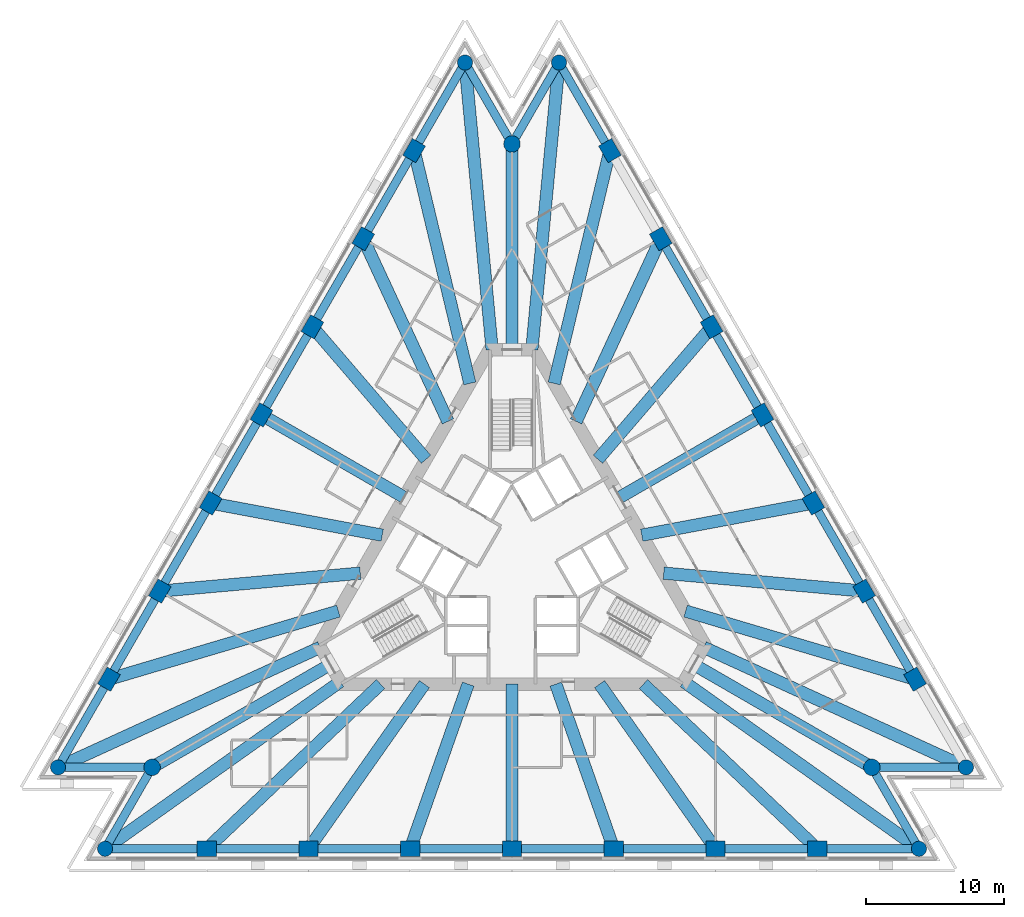
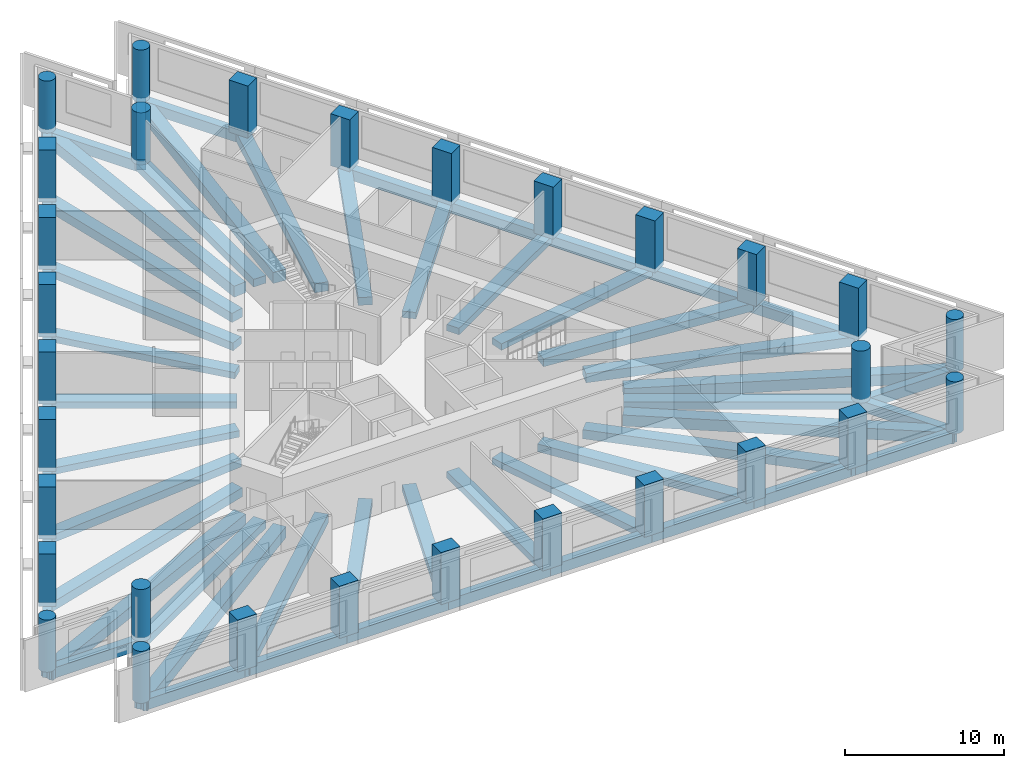
# One storey, part 1 of 11: 58 beams, 30 columns.
"""IFC4 building model written with IfcOpenShell, lengths in metres."""

from ifc_helpers import new_model, si_unit, direction, frame, origin, origin_2d, place, context, subcontext, project, spatial, rectangle, circle, extrude, material, material_profile, profile_set, type_object, element, save


model = new_model("IFC4")

# Units and contexts
model_context = context("Model", 3, precision=1e-05, world=origin(), true_north=direction((0.0, 1.0)))
body_context = subcontext(model_context, "Body", "Model", "MODEL_VIEW")
ifc_project = project(units=[si_unit("LENGTHUNIT", "METRE"), si_unit("AREAUNIT", "SQUARE_METRE"), si_unit("VOLUMEUNIT", "CUBIC_METRE"), si_unit("PLANEANGLEUNIT", "RADIAN"), si_unit("MASSUNIT", "GRAM", prefix="KILO")], contexts=[model_context])

# Site, building, storey
site_placement = place(None, origin())
site = spatial("IfcSite", under=ifc_project, at=site_placement, CompositionType="ELEMENT")
building_placement = place(site_placement, origin())
building = spatial("IfcBuilding", under=site, at=building_placement, Name="Triada Interchange Tower", CompositionType="ELEMENT")
storey_placement = place(building_placement, frame((0.0, 0.0, 63.300048828125)))
storey = spatial("IfcBuildingStorey", under=building, at=storey_placement, Name="L13", CompositionType="ELEMENT", Elevation=63.300048828125)

# Columns
ifc_material_1 = material(Name="Concrete C70/85", Category="concrete")
ifc_material_profile_1 = material_profile(ifc_material_1, rectangle(XDim=1.39990234375, YDim=1.10009765625, at=origin_2d()), Name="RC 1400x1100")
ifc_profile_set_1 = profile_set([ifc_material_profile_1], Name="Concrete C70/85")
column_type_1 = type_object("IfcColumnType", Name="Column A face RC 1400x1100", PredefinedType="COLUMN", material=ifc_profile_set_1)
for number, where, z_axis, x_axis, name in (
    (1, (-7.112060546875, 29.7119140625, -0.300048828125), (0.0, 0.0, 1.0), (0.5, 0.866025403784, 0.0), "Column CA02 L13"),
    (2, (-10.80810546875, 23.31005859375, -0.300048828125), (0.0, 0.0, 1.0), (0.5, 0.866025403784, 0.0), "Column CA03 L13"),
    (3, (-14.50390625, 16.908935546875, -0.300048828125), (0.0, 0.0, 1.0), (0.5, 0.866025403784, 0.0), "Column CA04 L13"),
    (4, (-18.198974609375, 10.508056640625, -0.300048828125), (0.0, 0.0, 1.0), (0.5, 0.866025403784, 0.0), "Column CA05 L13"),
    (5, (-21.89501953125, 4.10595703125, -0.300048828125), (0.0, 0.0, 1.0), (0.5, 0.866025403784, 0.0), "Column CA06 L13"),
    (6, (-25.591064453125, -2.294921875, -0.300048828125), (0.0, 0.0, 1.0), (0.5, 0.866025403784, 0.0), "Column CA07 L13"),
    (7, (-29.287109375, -8.697021484375, -0.300048828125), (0.0, 0.0, 1.0), (0.5, 0.866025403784, 0.0), "Column CA08 L13"),
    (8, (-22.174072265625, -21.014892578125, -0.300048828125), (0.0, 0.0, 1.0), (1.0, 0.0, 0.0), "Column CA11 L13"),
    (9, (-14.782958984375, -21.014892578125, -0.300048828125), (0.0, 0.0, 1.0), (1.0, 0.0, 0.0), "Column CA12 L13"),
    (10, (-7.39208984375, -21.014892578125, -0.300048828125), (0.0, 0.0, 1.0), (1.0, 0.0, 0.0), "Column CA13 L13"),
    (11, (0.0, -21.014892578125, -0.300048828125), (0.0, 0.0, 1.0), (1.0, 0.0, 0.0), "Column CA14 L13"),
    (12, (7.39111328125, -21.014892578125, -0.300048828125), (0.0, 0.0, 1.0), (1.0, 0.0, 0.0), "Column CA15 L13"),
    (13, (14.782958984375, -21.014892578125, -0.300048828125), (0.0, 0.0, 1.0), (1.0, 0.0, 0.0), "Column CA16 L13"),
    (14, (22.174072265625, -21.014892578125, -0.300048828125), (0.0, 0.0, 1.0), (1.0, 0.0, 0.0), "Column CA17 L13"),
    (15, (29.287109375, -8.697021484375, -0.300048828125), (0.0, 0.0, 1.0), (-0.5, 0.866025403784, 0.0), "Column CA20 L13"),
    (16, (25.591064453125, -2.294921875, -0.300048828125), (0.0, 0.0, 1.0), (-0.5, 0.866025403784, 0.0), "Column CA21 L13"),
    (17, (21.89501953125, 4.10595703125, -0.300048828125), (0.0, 0.0, 1.0), (-0.5, 0.866025403784, 0.0), "Column CA22 L13"),
    (18, (18.199951171875, 10.507080078125, -0.300048828125), (0.0, 0.0, 1.0), (-0.5, 0.866025403784, 0.0), "Column CA23 L13"),
    (19, (14.50390625, 16.908935546875, -0.300048828125), (0.0, 0.0, 1.0), (-0.5, 0.866025403784, 0.0), "Column CA24 L13"),
    (20, (10.80810546875, 23.31005859375, -0.300048828125), (0.0, 0.0, 1.0), (-0.5, 0.866025403784, 0.0), "Column CA25 L13"),
    (21, (7.112060546875, 29.7119140625, -0.300048828125), (0.0, 0.0, 1.0), (-0.5, 0.866025403784, 0.0), "Column CA26 L13"),
):
    element("IfcColumn", number, at=place(storey_placement, frame(where, z_axis=z_axis, x_axis=x_axis)), inside=storey, type_object=column_type_1, Name=name, PredefinedType="COLUMN", context=body_context, shape_type="SweptSolid", body=[
        extrude(rectangle(XDim=1.39990234375, YDim=1.10009765625, at=origin_2d()), origin(), (0.0, 0.0, 1.0), 4.0),
    ])
ifc_material_profile_2 = material_profile(ifc_material_1, circle(Radius=0.550048828125, at=origin_2d()), Name="RC D1100")
ifc_profile_set_2 = profile_set([ifc_material_profile_2], Name="Concrete C70/85")
column_type_2 = type_object("IfcColumnType", Name="End column A RC D1100", PredefinedType="COLUMN", material=ifc_profile_set_2)
for number, where, z_axis, x_axis, name in (
    (22, (-3.416015625, 36.113037109375, -0.300048828125), (0.0, 0.0, 1.0), (0.5, 0.866025403784, 0.0), "Column CA01 L13"),
    (23, (-32.98291015625, -15.097900390625, -0.300048828125), (0.0, 0.0, 1.0), (0.5, 0.866025403784, 0.0), "Column CA09 L13"),
    (24, (-29.56591796875, -21.014892578125, -0.300048828125), (0.0, 0.0, 1.0), (1.0, 0.0, 0.0), "Column CA10 L13"),
    (25, (29.56591796875, -21.014892578125, -0.300048828125), (0.0, 0.0, 1.0), (1.0, 0.0, 0.0), "Column CA18 L13"),
    (26, (32.98291015625, -15.097900390625, -0.300048828125), (0.0, 0.0, 1.0), (-0.5, 0.866025403784, 0.0), "Column CA19 L13"),
    (27, (3.416015625, 36.113037109375, -0.300048828125), (0.0, 0.0, 1.0), (-0.5, 0.866025403784, 0.0), "Column CA27 L13"),
):
    element("IfcColumn", number, at=place(storey_placement, frame(where, z_axis=z_axis, x_axis=x_axis)), inside=storey, type_object=column_type_2, Name=name, PredefinedType="COLUMN", context=body_context, shape_type="SweptSolid", body=[
        extrude(circle(Radius=0.550048828125, at=origin_2d()), origin(), (0.0, 0.0, 1.0), 4.0),
    ])
ifc_material_profile_3 = material_profile(ifc_material_1, circle(Radius=0.60009765625, at=origin_2d()), Name="RC D1200")
ifc_profile_set_3 = profile_set([ifc_material_profile_3], Name="Concrete C70/85")
column_type_3 = type_object("IfcColumnType", Name="Mega column A RC D1200", PredefinedType="COLUMN", material=ifc_profile_set_3)
for number, where, z_axis, x_axis, name in (
    (28, (0.0, 30.196044921875, -0.300048828125), (0.0, 0.0, 1.0), (1.0, 0.0, 0.0), "Column MA1 L13"),
    (29, (-26.14990234375, -15.097900390625, -0.300048828125), (0.0, 0.0, 1.0), (1.0, 0.0, 0.0), "Column MA2 L13"),
    (30, (26.14990234375, -15.097900390625, -0.300048828125), (0.0, 0.0, 1.0), (1.0, 0.0, 0.0), "Column MA3 L13"),
):
    element("IfcColumn", number, at=place(storey_placement, frame(where, z_axis=z_axis, x_axis=x_axis)), inside=storey, type_object=column_type_3, Name=name, PredefinedType="COLUMN", context=body_context, shape_type="SweptSolid", body=[
        extrude(circle(Radius=0.60009765625, at=origin_2d()), origin(), (0.0, 0.0, 1.0), 4.0),
    ])

# Beams
ifc_material_2 = material(Name="Concrete C50/60", Category="concrete")
ifc_material_profile_4 = material_profile(ifc_material_2, rectangle(XDim=0.89990234375, YDim=0.5, at=origin_2d()), Name="RC 900x500")
ifc_profile_set_4 = profile_set([ifc_material_profile_4], Name="Concrete C50/60")
beam_type_1 = type_object("IfcBeamType", Name="Radial band beam A RC 900x500", PredefinedType="BEAM", material=ifc_profile_set_4)
beam_1_placement = place(storey_placement, frame((-14.50390625, 16.908935546875, -0.550048828125), z_axis=(0.651070323425, -0.759017413473, 0.0), x_axis=(0.759017413473, 0.651070323425, 0.0)))
element("IfcBeam", 31, at=beam_1_placement, inside=storey, type_object=beam_type_1, Name="Radial band beam BA04 L13", PredefinedType="BEAM", context=body_context, shape_type="SweptSolid", body=[
    extrude(rectangle(XDim=0.89990234375, YDim=0.5, at=origin_2d()), origin(), (0.0, 0.0, 1.0), 12.683349609375),
])
beam_2_placement = place(storey_placement, frame((-18.198974609375, 10.508056640625, -0.550048828125), z_axis=(0.866003116035, -0.500038601528, 0.0), x_axis=(0.500038601528, 0.866003116035, 0.0)))
element("IfcBeam", 32, at=beam_2_placement, inside=storey, type_object=beam_type_1, Name="Radial band beam BA05 L13", PredefinedType="BEAM", context=body_context, shape_type="SweptSolid", body=[
    extrude(rectangle(XDim=0.89990234375, YDim=0.5, at=origin_2d()), origin(), (0.0, 0.0, 1.0), 11.96533203125),
])
beam_3_placement = place(storey_placement, frame((-21.89501953125, 4.10595703125, -0.550048828125), z_axis=(0.98286499511, -0.184326887315, 0.0), x_axis=(0.184326887315, 0.98286499511, 0.0)))
element("IfcBeam", 33, at=beam_3_placement, inside=storey, type_object=beam_type_1, Name="Radial band beam BA06 L13", PredefinedType="BEAM", context=body_context, shape_type="SweptSolid", body=[
    extrude(rectangle(XDim=0.89990234375, YDim=0.5, at=origin_2d()), origin(), (0.0, 0.0, 1.0), 12.683349609375),
])
beam_4_placement = place(storey_placement, frame((-7.39208984375, -21.014892578125, -0.550048828125), z_axis=(0.331845310944, 0.943333816633, 0.0), x_axis=(-0.943333816633, 0.331845310944, 0.0)))
element("IfcBeam", 34, at=beam_4_placement, inside=storey, type_object=beam_type_1, Name="Radial band beam BA14 L13", PredefinedType="BEAM", context=body_context, shape_type="SweptSolid", body=[
    extrude(rectangle(XDim=0.89990234375, YDim=0.5, at=origin_2d()), origin(), (0.0, 0.0, 1.0), 12.68359375),
])
beam_5_placement = place(storey_placement, frame((0.0, -21.014892578125, -0.550048828125), z_axis=(0.0, 1.0, 0.0), x_axis=(-1.0, 0.0, 0.0)))
element("IfcBeam", 35, at=beam_5_placement, inside=storey, type_object=beam_type_1, Name="Radial band beam BA15 L13", PredefinedType="BEAM", context=body_context, shape_type="SweptSolid", body=[
    extrude(rectangle(XDim=0.89990234375, YDim=0.5, at=origin_2d()), origin(), (0.0, 0.0, 1.0), 11.96484375),
])
for number, where, z_axis, x_axis, name in (
    (36, (7.39111328125, -21.014892578125, -0.550048828125), (-0.331776792757, 0.943357917117, 0.0), (-0.943357917117, -0.331776792757, 0.0), "Radial band beam BA16 L13"),
    (37, (21.89501953125, 4.10595703125, -0.550048828125), (-0.98286499511, -0.184326887315, 0.0), (0.184326887315, -0.98286499511, 0.0), "Radial band beam BA24 L13"),
):
    element("IfcBeam", number, at=place(storey_placement, frame(where, z_axis=z_axis, x_axis=x_axis)), inside=storey, type_object=beam_type_1, Name=name, PredefinedType="BEAM", context=body_context, shape_type="SweptSolid", body=[
        extrude(rectangle(XDim=0.89990234375, YDim=0.5, at=origin_2d()), origin(), (0.0, 0.0, 1.0), 12.683349609375),
    ])
beam_6_placement = place(storey_placement, frame((18.199951171875, 10.507080078125, -0.550048828125), z_axis=(-0.86603845774, -0.499977389204, 0.0), x_axis=(0.499977389204, -0.86603845774, 0.0)))
element("IfcBeam", 38, at=beam_6_placement, inside=storey, type_object=beam_type_1, Name="Radial band beam BA25 L13", PredefinedType="BEAM", context=body_context, shape_type="SweptSolid", body=[
    extrude(rectangle(XDim=0.89990234375, YDim=0.5, at=origin_2d()), origin(), (0.0, 0.0, 1.0), 11.96484375),
])
beam_7_placement = place(storey_placement, frame((14.50390625, 16.908935546875, -0.550048828125), z_axis=(-0.651070323425, -0.759017413473, 0.0), x_axis=(0.759017413473, -0.651070323425, 0.0)))
element("IfcBeam", 39, at=beam_7_placement, inside=storey, type_object=beam_type_1, Name="Radial band beam BA26 L13", PredefinedType="BEAM", context=body_context, shape_type="SweptSolid", body=[
    extrude(rectangle(XDim=0.89990234375, YDim=0.5, at=origin_2d()), origin(), (0.0, 0.0, 1.0), 12.683349609375),
])
ifc_material_profile_5 = material_profile(ifc_material_2, rectangle(XDim=0.89990234375, YDim=0.60009765625, at=origin_2d()), Name="RC 900x600")
ifc_profile_set_5 = profile_set([ifc_material_profile_5], Name="Concrete C50/60")
beam_type_2 = type_object("IfcBeamType", Name="Radial band beam A RC 900x600", PredefinedType="BEAM", material=ifc_profile_set_5)
beam_8_placement = place(storey_placement, frame((-10.80810546875, 23.31005859375, -0.60009765625), z_axis=(0.420665063471, -0.907216018584, 0.0), x_axis=(0.907216018584, 0.420665063471, 0.0)))
element("IfcBeam", 40, at=beam_8_placement, inside=storey, type_object=beam_type_2, Name="Radial band beam BA03 L13", PredefinedType="BEAM", context=body_context, shape_type="SweptSolid", body=[
    extrude(rectangle(XDim=0.89990234375, YDim=0.60009765625, at=origin_2d()), origin(), (0.0, 0.0, 1.0), 14.62939453125),
])
beam_9_placement = place(storey_placement, frame((-25.591064453125, -2.294921875, -0.60009765625), z_axis=(0.99600137706, 0.089337880517, 0.0), x_axis=(-0.089337880517, 0.99600137706, 0.0)))
element("IfcBeam", 41, at=beam_9_placement, inside=storey, type_object=beam_type_2, Name="Radial band beam BA07 L13", PredefinedType="BEAM", context=body_context, shape_type="SweptSolid", body=[
    extrude(rectangle(XDim=0.89990234375, YDim=0.60009765625, at=origin_2d()), origin(), (0.0, 0.0, 1.0), 14.628662109375),
])
beam_10_placement = place(storey_placement, frame((-26.14990234375, -15.097900390625, -0.60009765625), z_axis=(0.866015834355, 0.500016574372, 0.0), x_axis=(-0.500016574372, 0.866015834355, 0.0)))
element("IfcBeam", 42, at=beam_10_placement, inside=storey, type_object=beam_type_2, Name="Radial band beam BA10 L13", PredefinedType="BEAM", context=body_context, shape_type="SweptSolid", body=[
    extrude(rectangle(XDim=0.89990234375, YDim=0.60009765625, at=origin_2d()), origin(), (0.0, 0.0, 1.0), 14.9453125),
])
for number, where, z_axis, x_axis, name in (
    (43, (-14.782958984375, -21.014892578125, -0.60009765625), (0.575369380509, 0.817893682561, 0.0), (-0.817893682561, 0.575369380509, 0.0), "Radial band beam BA13 L13"),
    (44, (14.782958984375, -21.014892578125, -0.60009765625), (-0.575369380509, 0.817893682561, 0.0), (-0.817893682561, -0.575369380509, 0.0), "Radial band beam BA17 L13"),
):
    element("IfcBeam", number, at=place(storey_placement, frame(where, z_axis=z_axis, x_axis=x_axis)), inside=storey, type_object=beam_type_2, Name=name, PredefinedType="BEAM", context=body_context, shape_type="SweptSolid", body=[
        extrude(rectangle(XDim=0.89990234375, YDim=0.60009765625, at=origin_2d()), origin(), (0.0, 0.0, 1.0), 14.62890625),
    ])
beam_11_placement = place(storey_placement, frame((26.14990234375, -15.097900390625, -0.60009765625), z_axis=(-0.866015834355, 0.500016574372, 0.0), x_axis=(-0.500016574372, -0.866015834355, 0.0)))
element("IfcBeam", 45, at=beam_11_placement, inside=storey, type_object=beam_type_2, Name="Radial band beam BA20 L13", PredefinedType="BEAM", context=body_context, shape_type="SweptSolid", body=[
    extrude(rectangle(XDim=0.89990234375, YDim=0.60009765625, at=origin_2d()), origin(), (0.0, 0.0, 1.0), 14.9453125),
])
beam_12_placement = place(storey_placement, frame((25.591064453125, -2.294921875, -0.60009765625), z_axis=(-0.99600137706, 0.089337880517, 0.0), x_axis=(-0.089337880517, -0.99600137706, 0.0)))
element("IfcBeam", 46, at=beam_12_placement, inside=storey, type_object=beam_type_2, Name="Radial band beam BA23 L13", PredefinedType="BEAM", context=body_context, shape_type="SweptSolid", body=[
    extrude(rectangle(XDim=0.89990234375, YDim=0.60009765625, at=origin_2d()), origin(), (0.0, 0.0, 1.0), 14.628662109375),
])
beam_13_placement = place(storey_placement, frame((10.80810546875, 23.31005859375, -0.60009765625), z_axis=(-0.420665063471, -0.907216018584, 0.0), x_axis=(0.907216018584, -0.420665063471, 0.0)))
element("IfcBeam", 47, at=beam_13_placement, inside=storey, type_object=beam_type_2, Name="Radial band beam BA27 L13", PredefinedType="BEAM", context=body_context, shape_type="SweptSolid", body=[
    extrude(rectangle(XDim=0.89990234375, YDim=0.60009765625, at=origin_2d()), origin(), (0.0, 0.0, 1.0), 14.62939453125),
])
beam_14_placement = place(storey_placement, frame((0.0, 30.196044921875, -0.60009765625), z_axis=(0.0, -1.0, 0.0), x_axis=(1.0, 0.0, 0.0)))
element("IfcBeam", 48, at=beam_14_placement, inside=storey, type_object=beam_type_2, Name="Radial band beam BA30 L13", PredefinedType="BEAM", context=body_context, shape_type="SweptSolid", body=[
    extrude(rectangle(XDim=0.89990234375, YDim=0.60009765625, at=origin_2d()), origin(), (0.0, 0.0, 1.0), 14.946044921875),
])
ifc_material_profile_6 = material_profile(ifc_material_2, rectangle(XDim=0.89990234375, YDim=0.699951171875, at=origin_2d()), Name="RC 900x700")
ifc_profile_set_6 = profile_set([ifc_material_profile_6], Name="Concrete C50/60")
beam_type_3 = type_object("IfcBeamType", Name="Radial band beam A RC 900x700", PredefinedType="BEAM", material=ifc_profile_set_6)
beam_15_placement = place(storey_placement, frame((-7.112060546875, 29.7119140625, -0.650146484375), z_axis=(0.232774658335, -0.972530697941, 0.0), x_axis=(0.972530697941, 0.232774658335, 0.0)))
element("IfcBeam", 49, at=beam_15_placement, inside=storey, type_object=beam_type_3, Name="Radial band beam BA02 L13", PredefinedType="BEAM", context=body_context, shape_type="SweptSolid", body=[
    extrude(rectangle(XDim=0.89990234375, YDim=0.699951171875, at=origin_2d()), origin(), (0.0, 0.0, 1.0), 17.394775390625),
])
for number, where, z_axis, x_axis, name in (
    (50, (-29.287109375, -8.697021484375, -0.650146484375), (0.958618799004, 0.284692813743, 0.0), (-0.284692813743, 0.958618799004, 0.0), "Radial band beam BA08 L13"),
    (51, (-22.174072265625, -21.014892578125, -0.650146484375), (0.725828745661, 0.687875448008, 0.0), (-0.687875448008, 0.725828745661, 0.0), "Radial band beam BA12 L13"),
    (52, (22.174072265625, -21.014892578125, -0.650146484375), (-0.725828745661, 0.687875448008, 0.0), (-0.687875448008, -0.725828745661, 0.0), "Radial band beam BA18 L13"),
    (53, (29.287109375, -8.697021484375, -0.650146484375), (-0.958618799004, 0.284692813743, 0.0), (-0.284692813743, -0.958618799004, 0.0), "Radial band beam BA22 L13"),
):
    element("IfcBeam", number, at=place(storey_placement, frame(where, z_axis=z_axis, x_axis=x_axis)), inside=storey, type_object=beam_type_3, Name=name, PredefinedType="BEAM", context=body_context, shape_type="SweptSolid", body=[
        extrude(rectangle(XDim=0.89990234375, YDim=0.699951171875, at=origin_2d()), origin(), (0.0, 0.0, 1.0), 17.393798828125),
    ])
beam_16_placement = place(storey_placement, frame((7.112060546875, 29.7119140625, -0.650146484375), z_axis=(-0.232774658335, -0.972530697941, 0.0), x_axis=(0.972530697941, -0.232774658335, 0.0)))
element("IfcBeam", 54, at=beam_16_placement, inside=storey, type_object=beam_type_3, Name="Radial band beam BA28 L13", PredefinedType="BEAM", context=body_context, shape_type="SweptSolid", body=[
    extrude(rectangle(XDim=0.89990234375, YDim=0.699951171875, at=origin_2d()), origin(), (0.0, 0.0, 1.0), 17.394775390625),
])
ifc_material_profile_7 = material_profile(ifc_material_2, rectangle(XDim=0.89990234375, YDim=0.85009765625, at=origin_2d()), Name="RC 900x850")
ifc_profile_set_7 = profile_set([ifc_material_profile_7], Name="Concrete C50/60")
beam_type_4 = type_object("IfcBeamType", Name="Radial band beam A RC 900x850", PredefinedType="BEAM", material=ifc_profile_set_7)
beam_17_placement = place(storey_placement, frame((-3.416015625, 36.113037109375, -0.72509765625), z_axis=(0.09414438797, -0.995558553885, 0.0), x_axis=(0.995558553885, 0.09414438797, 0.0)))
element("IfcBeam", 55, at=beam_17_placement, inside=storey, type_object=beam_type_4, Name="Radial band beam BA01 L13", PredefinedType="BEAM", context=body_context, shape_type="SweptSolid", body=[
    extrude(rectangle(XDim=0.89990234375, YDim=0.85009765625, at=origin_2d()), origin(), (0.0, 0.0, 1.0), 20.9560546875),
])
beam_18_placement = place(storey_placement, frame((-32.98291015625, -15.097900390625, -0.72509765625), z_axis=(0.909274124678, 0.416197748903, 0.0), x_axis=(-0.416197748903, 0.909274124678, 0.0)))
element("IfcBeam", 56, at=beam_18_placement, inside=storey, type_object=beam_type_4, Name="Radial band beam BA09 L13", PredefinedType="BEAM", context=body_context, shape_type="SweptSolid", body=[
    extrude(rectangle(XDim=0.89990234375, YDim=0.85009765625, at=origin_2d()), origin(), (0.0, 0.0, 1.0), 20.956298828125),
])
for number, where, z_axis, x_axis, name in (
    (57, (-29.56591796875, -21.014892578125, -0.72509765625), (0.815078922103, 0.579349938071, 0.0), (-0.579349938071, 0.815078922103, 0.0), "Radial band beam BA11 L13"),
    (58, (29.56591796875, -21.014892578125, -0.72509765625), (-0.815078922103, 0.579349938071, 0.0), (-0.579349938071, -0.815078922103, 0.0), "Radial band beam BA19 L13"),
):
    element("IfcBeam", number, at=place(storey_placement, frame(where, z_axis=z_axis, x_axis=x_axis)), inside=storey, type_object=beam_type_4, Name=name, PredefinedType="BEAM", context=body_context, shape_type="SweptSolid", body=[
        extrude(rectangle(XDim=0.89990234375, YDim=0.85009765625, at=origin_2d()), origin(), (0.0, 0.0, 1.0), 20.9560546875),
    ])
beam_19_placement = place(storey_placement, frame((32.98291015625, -15.097900390625, -0.72509765625), z_axis=(-0.909274124678, 0.416197748903, 0.0), x_axis=(-0.416197748903, -0.909274124678, 0.0)))
element("IfcBeam", 59, at=beam_19_placement, inside=storey, type_object=beam_type_4, Name="Radial band beam BA21 L13", PredefinedType="BEAM", context=body_context, shape_type="SweptSolid", body=[
    extrude(rectangle(XDim=0.89990234375, YDim=0.85009765625, at=origin_2d()), origin(), (0.0, 0.0, 1.0), 20.956298828125),
])
beam_20_placement = place(storey_placement, frame((3.416015625, 36.113037109375, -0.72509765625), z_axis=(-0.09414438797, -0.995558553885, 0.0), x_axis=(0.995558553885, -0.09414438797, 0.0)))
element("IfcBeam", 60, at=beam_20_placement, inside=storey, type_object=beam_type_4, Name="Radial band beam BA29 L13", PredefinedType="BEAM", context=body_context, shape_type="SweptSolid", body=[
    extrude(rectangle(XDim=0.89990234375, YDim=0.85009765625, at=origin_2d()), origin(), (0.0, 0.0, 1.0), 20.9560546875),
])
ifc_material_profile_8 = material_profile(ifc_material_2, rectangle(XDim=0.60009765625, YDim=0.800048828125, at=origin_2d()), Name="RC 600x800")
ifc_profile_set_8 = profile_set([ifc_material_profile_8], Name="Concrete C50/60")
beam_type_5 = type_object("IfcBeamType", Name="Spandrel beam A RC 600x800", PredefinedType="BEAM", material=ifc_profile_set_8)
beam_21_placement = place(storey_placement, frame((-3.416015625, 36.113037109375, -0.699951171875), z_axis=(-0.500036000875, -0.866004617672, 0.0), x_axis=(0.866004617672, -0.500036000875, 0.0)))
element("IfcBeam", 61, at=beam_21_placement, inside=storey, type_object=beam_type_5, Name="Spandrel beam EA01 L13", PredefinedType="BEAM", context=body_context, shape_type="SweptSolid", body=[
    extrude(rectangle(XDim=0.60009765625, YDim=0.800048828125, at=origin_2d()), origin(), (0.0, 0.0, 1.0), 7.3916015625),
])
beam_22_placement = place(storey_placement, frame((-7.112060546875, 29.7119140625, -0.699951171875), z_axis=(-0.499993095098, -0.866029390295, 0.0), x_axis=(0.866029390295, -0.499993095098, 0.0)))
element("IfcBeam", 62, at=beam_22_placement, inside=storey, type_object=beam_type_5, Name="Spandrel beam EA02 L13", PredefinedType="BEAM", context=body_context, shape_type="SweptSolid", body=[
    extrude(rectangle(XDim=0.60009765625, YDim=0.800048828125, at=origin_2d()), origin(), (0.0, 0.0, 1.0), 7.39208984375),
])
beam_23_placement = place(storey_placement, frame((-10.80810546875, 23.31005859375, -0.699951171875), z_axis=(-0.500011229206, -0.866018920502, 0.0), x_axis=(0.866018920502, -0.500011229206, 0.0)))
element("IfcBeam", 63, at=beam_23_placement, inside=storey, type_object=beam_type_5, Name="Spandrel beam EA03 L13", PredefinedType="BEAM", context=body_context, shape_type="SweptSolid", body=[
    extrude(rectangle(XDim=0.60009765625, YDim=0.800048828125, at=origin_2d()), origin(), (0.0, 0.0, 1.0), 7.391357421875),
])
beam_24_placement = place(storey_placement, frame((-14.50390625, 16.908935546875, -0.699951171875), z_axis=(-0.499951209181, -0.866053571345, 0.0), x_axis=(0.866053571345, -0.499951209181, 0.0)))
element("IfcBeam", 64, at=beam_24_placement, inside=storey, type_object=beam_type_5, Name="Spandrel beam EA04 L13", PredefinedType="BEAM", context=body_context, shape_type="SweptSolid", body=[
    extrude(rectangle(XDim=0.60009765625, YDim=0.800048828125, at=origin_2d()), origin(), (0.0, 0.0, 1.0), 7.390869140625),
])
beam_25_placement = place(storey_placement, frame((-18.198974609375, 10.508056640625, -0.699951171875), z_axis=(-0.499978794536, -0.866037646418, 0.0), x_axis=(0.866037646418, -0.499978794536, 0.0)))
element("IfcBeam", 65, at=beam_25_placement, inside=storey, type_object=beam_type_5, Name="Spandrel beam EA05 L13", PredefinedType="BEAM", context=body_context, shape_type="SweptSolid", body=[
    extrude(rectangle(XDim=0.60009765625, YDim=0.800048828125, at=origin_2d()), origin(), (0.0, 0.0, 1.0), 7.392333984375),
])
beam_26_placement = place(storey_placement, frame((-21.89501953125, 4.10595703125, -0.699951171875), z_axis=(-0.500050304164, -0.865996358714, 0.0), x_axis=(0.865996358714, -0.500050304164, 0.0)))
element("IfcBeam", 66, at=beam_26_placement, inside=storey, type_object=beam_type_5, Name="Spandrel beam EA06 L13", PredefinedType="BEAM", context=body_context, shape_type="SweptSolid", body=[
    extrude(rectangle(XDim=0.60009765625, YDim=0.800048828125, at=origin_2d()), origin(), (0.0, 0.0, 1.0), 7.391357421875),
])
beam_27_placement = place(storey_placement, frame((-25.591064453125, -2.294921875, -0.699951171875), z_axis=(-0.499978794536, -0.866037646418, 0.0), x_axis=(0.866037646418, -0.499978794536, 0.0)))
element("IfcBeam", 67, at=beam_27_placement, inside=storey, type_object=beam_type_5, Name="Spandrel beam EA07 L13", PredefinedType="BEAM", context=body_context, shape_type="SweptSolid", body=[
    extrude(rectangle(XDim=0.60009765625, YDim=0.800048828125, at=origin_2d()), origin(), (0.0, 0.0, 1.0), 7.392333984375),
])
beam_28_placement = place(storey_placement, frame((-29.287109375, -8.697021484375, -0.699951171875), z_axis=(-0.500025532259, -0.866010662226, 0.0), x_axis=(0.866010662226, -0.500025532259, 0.0)))
element("IfcBeam", 68, at=beam_28_placement, inside=storey, type_object=beam_type_5, Name="Spandrel beam EA08 L13", PredefinedType="BEAM", context=body_context, shape_type="SweptSolid", body=[
    extrude(rectangle(XDim=0.60009765625, YDim=0.800048828125, at=origin_2d()), origin(), (0.0, 0.0, 1.0), 7.39111328125),
])
beam_29_placement = place(storey_placement, frame((-32.98291015625, -15.097900390625, -0.699951171875), z_axis=(1.0, 0.0, 0.0), x_axis=(0.0, 1.0, 0.0)))
element("IfcBeam", 69, at=beam_29_placement, inside=storey, type_object=beam_type_5, Name="Spandrel beam EA09 L13", PredefinedType="BEAM", context=body_context, shape_type="SweptSolid", body=[
    extrude(rectangle(XDim=0.60009765625, YDim=0.800048828125, at=origin_2d()), origin(), (0.0, 0.0, 1.0), 6.8330078125),
])
beam_30_placement = place(storey_placement, frame((-26.14990234375, -15.097900390625, -0.699951171875), z_axis=(-0.499982281718, -0.866035633198, 0.0), x_axis=(0.866035633198, -0.499982281718, 0.0)))
element("IfcBeam", 70, at=beam_30_placement, inside=storey, type_object=beam_type_5, Name="Spandrel beam EA10 L13", PredefinedType="BEAM", context=body_context, shape_type="SweptSolid", body=[
    extrude(rectangle(XDim=0.60009765625, YDim=0.800048828125, at=origin_2d()), origin(), (0.0, 0.0, 1.0), 6.832275390625),
])
beam_31_placement = place(storey_placement, frame((-29.56591796875, -21.014892578125, -0.699951171875), z_axis=(1.0, 0.0, 0.0), x_axis=(0.0, 1.0, 0.0)))
element("IfcBeam", 71, at=beam_31_placement, inside=storey, type_object=beam_type_5, Name="Spandrel beam EA11 L13", PredefinedType="BEAM", context=body_context, shape_type="SweptSolid", body=[
    extrude(rectangle(XDim=0.60009765625, YDim=0.800048828125, at=origin_2d()), origin(), (0.0, 0.0, 1.0), 7.391845703125),
])
beam_32_placement = place(storey_placement, frame((-22.174072265625, -21.014892578125, -0.699951171875), z_axis=(1.0, 0.0, 0.0), x_axis=(0.0, 1.0, 0.0)))
element("IfcBeam", 72, at=beam_32_placement, inside=storey, type_object=beam_type_5, Name="Spandrel beam EA12 L13", PredefinedType="BEAM", context=body_context, shape_type="SweptSolid", body=[
    extrude(rectangle(XDim=0.60009765625, YDim=0.800048828125, at=origin_2d()), origin(), (0.0, 0.0, 1.0), 7.39111328125),
])
beam_33_placement = place(storey_placement, frame((-14.782958984375, -21.014892578125, -0.699951171875), z_axis=(1.0, 0.0, 0.0), x_axis=(0.0, 1.0, 0.0)))
element("IfcBeam", 73, at=beam_33_placement, inside=storey, type_object=beam_type_5, Name="Spandrel beam EA13 L13", PredefinedType="BEAM", context=body_context, shape_type="SweptSolid", body=[
    extrude(rectangle(XDim=0.60009765625, YDim=0.800048828125, at=origin_2d()), origin(), (0.0, 0.0, 1.0), 7.390869140625),
])
beam_34_placement = place(storey_placement, frame((-7.39208984375, -21.014892578125, -0.699951171875), z_axis=(1.0, 0.0, 0.0), x_axis=(0.0, 1.0, 0.0)))
element("IfcBeam", 74, at=beam_34_placement, inside=storey, type_object=beam_type_5, Name="Spandrel beam EA14 L13", PredefinedType="BEAM", context=body_context, shape_type="SweptSolid", body=[
    extrude(rectangle(XDim=0.60009765625, YDim=0.800048828125, at=origin_2d()), origin(), (0.0, 0.0, 1.0), 7.39208984375),
])
beam_35_placement = place(storey_placement, frame((0.0, -21.014892578125, -0.699951171875), z_axis=(1.0, 0.0, 0.0), x_axis=(0.0, 1.0, 0.0)))
element("IfcBeam", 75, at=beam_35_placement, inside=storey, type_object=beam_type_5, Name="Spandrel beam EA15 L13", PredefinedType="BEAM", context=body_context, shape_type="SweptSolid", body=[
    extrude(rectangle(XDim=0.60009765625, YDim=0.800048828125, at=origin_2d()), origin(), (0.0, 0.0, 1.0), 7.39111328125),
])
beam_36_placement = place(storey_placement, frame((7.39111328125, -21.014892578125, -0.699951171875), z_axis=(1.0, 0.0, 0.0), x_axis=(0.0, 1.0, 0.0)))
element("IfcBeam", 76, at=beam_36_placement, inside=storey, type_object=beam_type_5, Name="Spandrel beam EA16 L13", PredefinedType="BEAM", context=body_context, shape_type="SweptSolid", body=[
    extrude(rectangle(XDim=0.60009765625, YDim=0.800048828125, at=origin_2d()), origin(), (0.0, 0.0, 1.0), 7.391845703125),
])
beam_37_placement = place(storey_placement, frame((14.782958984375, -21.014892578125, -0.699951171875), z_axis=(1.0, 0.0, 0.0), x_axis=(0.0, 1.0, 0.0)))
element("IfcBeam", 77, at=beam_37_placement, inside=storey, type_object=beam_type_5, Name="Spandrel beam EA17 L13", PredefinedType="BEAM", context=body_context, shape_type="SweptSolid", body=[
    extrude(rectangle(XDim=0.60009765625, YDim=0.800048828125, at=origin_2d()), origin(), (0.0, 0.0, 1.0), 7.39111328125),
])
beam_38_placement = place(storey_placement, frame((22.174072265625, -21.014892578125, -0.699951171875), z_axis=(1.0, 0.0, 0.0), x_axis=(0.0, 1.0, 0.0)))
element("IfcBeam", 78, at=beam_38_placement, inside=storey, type_object=beam_type_5, Name="Spandrel beam EA18 L13", PredefinedType="BEAM", context=body_context, shape_type="SweptSolid", body=[
    extrude(rectangle(XDim=0.60009765625, YDim=0.800048828125, at=origin_2d()), origin(), (0.0, 0.0, 1.0), 7.391845703125),
])
beam_39_placement = place(storey_placement, frame((29.56591796875, -21.014892578125, -0.699951171875), z_axis=(-0.499982281718, 0.866035633198, 0.0), x_axis=(-0.866035633198, -0.499982281718, 0.0)))
element("IfcBeam", 79, at=beam_39_placement, inside=storey, type_object=beam_type_5, Name="Spandrel beam EA19 L13", PredefinedType="BEAM", context=body_context, shape_type="SweptSolid", body=[
    extrude(rectangle(XDim=0.60009765625, YDim=0.800048828125, at=origin_2d()), origin(), (0.0, 0.0, 1.0), 6.832275390625),
])
beam_40_placement = place(storey_placement, frame((26.14990234375, -15.097900390625, -0.699951171875), z_axis=(1.0, 0.0, 0.0), x_axis=(0.0, 1.0, 0.0)))
element("IfcBeam", 80, at=beam_40_placement, inside=storey, type_object=beam_type_5, Name="Spandrel beam EA20 L13", PredefinedType="BEAM", context=body_context, shape_type="SweptSolid", body=[
    extrude(rectangle(XDim=0.60009765625, YDim=0.800048828125, at=origin_2d()), origin(), (0.0, 0.0, 1.0), 6.8330078125),
])
beam_41_placement = place(storey_placement, frame((29.287109375, -8.697021484375, -0.699951171875), z_axis=(-0.499978794536, 0.866037646418, 0.0), x_axis=(-0.866037646418, -0.499978794536, 0.0)))
element("IfcBeam", 81, at=beam_41_placement, inside=storey, type_object=beam_type_5, Name="Spandrel beam EA22 L13", PredefinedType="BEAM", context=body_context, shape_type="SweptSolid", body=[
    extrude(rectangle(XDim=0.60009765625, YDim=0.800048828125, at=origin_2d()), origin(), (0.0, 0.0, 1.0), 7.392333984375),
])
beam_42_placement = place(storey_placement, frame((25.591064453125, -2.294921875, -0.699951171875), z_axis=(-0.500050304164, 0.865996358714, 0.0), x_axis=(-0.865996358714, -0.500050304164, 0.0)))
element("IfcBeam", 82, at=beam_42_placement, inside=storey, type_object=beam_type_5, Name="Spandrel beam EA23 L13", PredefinedType="BEAM", context=body_context, shape_type="SweptSolid", body=[
    extrude(rectangle(XDim=0.60009765625, YDim=0.800048828125, at=origin_2d()), origin(), (0.0, 0.0, 1.0), 7.391357421875),
])
beam_43_placement = place(storey_placement, frame((21.89501953125, 4.10595703125, -0.699951171875), z_axis=(-0.499936906837, 0.866061827575, 0.0), x_axis=(-0.866061827575, -0.499936906837, 0.0)))
element("IfcBeam", 83, at=beam_43_placement, inside=storey, type_object=beam_type_5, Name="Spandrel beam EA24 L13", PredefinedType="BEAM", context=body_context, shape_type="SweptSolid", body=[
    extrude(rectangle(XDim=0.60009765625, YDim=0.800048828125, at=origin_2d()), origin(), (0.0, 0.0, 1.0), 7.39111328125),
])
beam_44_placement = place(storey_placement, frame((18.199951171875, 10.507080078125, -0.699951171875), z_axis=(-0.499993095098, 0.866029390295, 0.0), x_axis=(-0.866029390295, -0.499993095098, 0.0)))
element("IfcBeam", 84, at=beam_44_placement, inside=storey, type_object=beam_type_5, Name="Spandrel beam EA25 L13", PredefinedType="BEAM", context=body_context, shape_type="SweptSolid", body=[
    extrude(rectangle(XDim=0.60009765625, YDim=0.800048828125, at=origin_2d()), origin(), (0.0, 0.0, 1.0), 7.39208984375),
])
beam_45_placement = place(storey_placement, frame((14.50390625, 16.908935546875, -0.699951171875), z_axis=(-0.500011229206, 0.866018920502, 0.0), x_axis=(-0.866018920502, -0.500011229206, 0.0)))
element("IfcBeam", 85, at=beam_45_placement, inside=storey, type_object=beam_type_5, Name="Spandrel beam EA26 L13", PredefinedType="BEAM", context=body_context, shape_type="SweptSolid", body=[
    extrude(rectangle(XDim=0.60009765625, YDim=0.800048828125, at=origin_2d()), origin(), (0.0, 0.0, 1.0), 7.391357421875),
])
beam_46_placement = place(storey_placement, frame((7.112060546875, 29.7119140625, -0.699951171875), z_axis=(-0.500036000875, 0.866004617672, 0.0), x_axis=(-0.866004617672, -0.500036000875, 0.0)))
element("IfcBeam", 86, at=beam_46_placement, inside=storey, type_object=beam_type_5, Name="Spandrel beam EA28 L13", PredefinedType="BEAM", context=body_context, shape_type="SweptSolid", body=[
    extrude(rectangle(XDim=0.60009765625, YDim=0.800048828125, at=origin_2d()), origin(), (0.0, 0.0, 1.0), 7.3916015625),
])
for number, where, z_axis, x_axis, name in (
    (87, (3.416015625, 36.113037109375, -0.699951171875), (-0.499982281718, -0.866035633198, 0.0), (0.866035633198, -0.499982281718, 0.0), "Spandrel beam EA29 L13"),
    (88, (0.0, 30.196044921875, -0.699951171875), (-0.499982281718, 0.866035633198, 0.0), (-0.866035633198, -0.499982281718, 0.0), "Spandrel beam EA30 L13"),
):
    element("IfcBeam", number, at=place(storey_placement, frame(where, z_axis=z_axis, x_axis=x_axis)), inside=storey, type_object=beam_type_5, Name=name, PredefinedType="BEAM", context=body_context, shape_type="SweptSolid", body=[
        extrude(rectangle(XDim=0.60009765625, YDim=0.800048828125, at=origin_2d()), origin(), (0.0, 0.0, 1.0), 6.832275390625),
    ])

save(model, "model.ifc")
